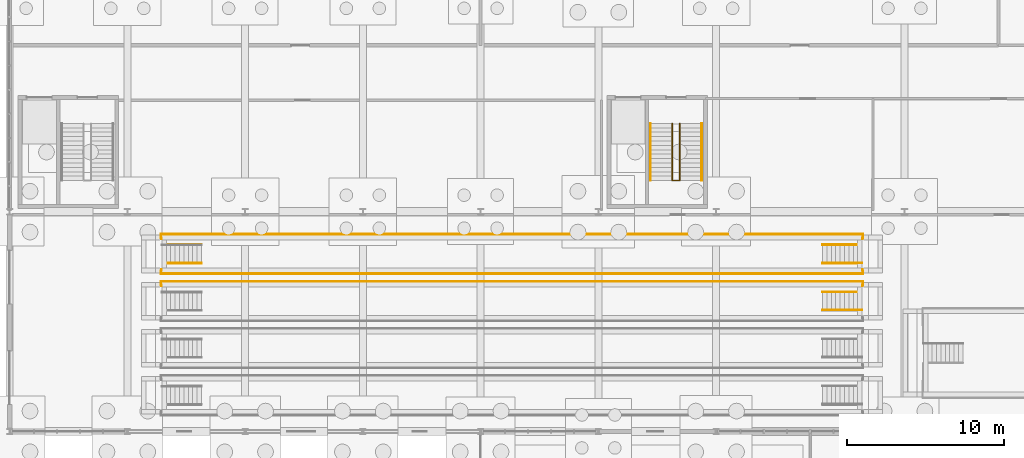
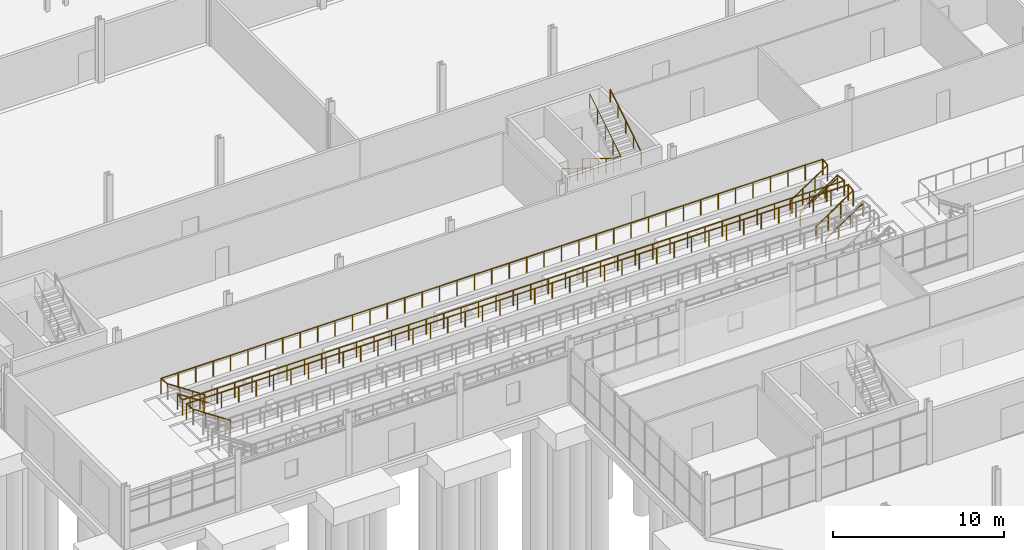
# One storey, part 133 of 136: 8 railings.
"""IFC4 building model written with IfcOpenShell, lengths in metres."""

from ifc_helpers import new_model, si_unit, direction, frame, origin, origin_2d, place, context, subcontext, project, spatial, circle, extrude, material, type_object, element, save


model = new_model("IFC4")

# Units and contexts
model_context = context("Model", 3, precision=1e-05, world=origin(), true_north=direction((0.0, 1.0)))
body_context = subcontext(model_context, "Body", "Model", "MODEL_VIEW")
ifc_project = project(units=[si_unit("LENGTHUNIT", "METRE"), si_unit("AREAUNIT", "SQUARE_METRE"), si_unit("VOLUMEUNIT", "CUBIC_METRE"), si_unit("PLANEANGLEUNIT", "RADIAN"), si_unit("MASSUNIT", "GRAM", prefix="KILO")], contexts=[model_context])

# Site, building, storey
site_placement = place(None, origin())
site = spatial("IfcSite", under=ifc_project, at=site_placement, CompositionType="ELEMENT")
building_placement = place(site_placement, origin())
building = spatial("IfcBuilding", under=site, at=building_placement, Name="Solvenia Promenade Tram Depot", CompositionType="ELEMENT")
storey_placement = place(building_placement, origin())
storey = spatial("IfcBuildingStorey", under=building, at=storey_placement, Name="L00", CompositionType="ELEMENT", Elevation=0.0)

# Railings
ifc_material_1 = material(Name="Galvanized painted sheet steel", Category="steel")
railing_type_1 = type_object("IfcRailingType", Name="Guard-Pit-1100", PredefinedType="GUARDRAIL", material=ifc_material_1)
railing_1_placement = place(storey_placement, frame((117.219970703125, 32.889892578125, -1.675048828125)))
element("IfcRailing", 1, at=railing_1_placement, inside=storey, type_object=railing_type_1, Name="Inspection Pit Bay 3 North Perimeter and Flight Safety Guard", PredefinedType="GUARDRAIL", context=body_context, shape_type="SweptSolid", body=[
    extrude(circle(Radius=0.02392578125, at=origin_2d()), frame((0.0, 0.0, 1.09619140625), z_axis=(-0.832806695154, 0.0, 0.553563915467), x_axis=(0.0, -1.0, 0.0)), (0.0, 0.0, 1.0), 3.02587890625),
    extrude(circle(Radius=0.02392578125, at=origin_2d()), frame((-2.52001953125, 0.0, 2.77099609375), z_axis=(-0.089259767428, 0.996008380446, 0.0), x_axis=(-0.996008380446, -0.089259767428, 0.0)), (0.0, 0.0, 1.0), 0.6728515625),
    extrude(circle(Radius=0.02392578125, at=origin_2d()), frame((-2.580078125, 0.670166015625, 2.77099609375), z_axis=(1.0, 0.0, 0.0), x_axis=(0.0, 1.0, 0.0)), (0.0, 0.0, 1.0), 44.72021484375),
    extrude(circle(Radius=0.02392578125, at=origin_2d()), frame((42.14013671875, 0.670166015625, 2.77099609375), z_axis=(-0.089259767428, -0.996008380446, 0.0), x_axis=(0.996008380446, -0.089259767428, 0.0)), (0.0, 0.0, 1.0), 0.6728515625),
    extrude(circle(Radius=0.02392578125, at=origin_2d()), frame((42.080078125, 0.0, 2.77099609375), z_axis=(-0.832806695154, 0.0, -0.553563915467), x_axis=(0.0, -1.0, 0.0)), (0.0, 0.0, 1.0), 3.02587890625),
    extrude(circle(Radius=0.02099609375, at=origin_2d()), origin(), (0.0, 0.0, 1.0), 1.072021484375),
    extrude(circle(Radius=0.02099609375, at=origin_2d()), frame((-0.840087890625, 0.0, 0.558349609375)), (0.0, 0.0, 1.0), 1.072021484375),
    extrude(circle(Radius=0.02099609375, at=origin_2d()), frame((-1.679931640625, 0.0, 1.11669921875)), (0.0, 0.0, 1.0), 1.072021484375),
    extrude(circle(Radius=0.02099609375, at=origin_2d()), frame((-2.52001953125, 0.0, 1.675048828125)), (0.0, 0.0, 1.0), 1.072021484375),
    extrude(circle(Radius=0.02099609375, at=origin_2d()), frame((-2.580078125, 0.670166015625, 1.675048828125)), (0.0, 0.0, 1.0), 1.072021484375),
    extrude(circle(Radius=0.02099609375, at=origin_2d()), frame((-1.4033203125, 0.670166015625, 1.675048828125)), (0.0, 0.0, 1.0), 1.072021484375),
    extrude(circle(Radius=0.02099609375, at=origin_2d()), frame((-0.226318359375, 0.670166015625, 1.675048828125)), (0.0, 0.0, 1.0), 1.072021484375),
    extrude(circle(Radius=0.02099609375, at=origin_2d()), frame((0.950439453125, 0.670166015625, 1.675048828125)), (0.0, 0.0, 1.0), 1.072021484375),
    extrude(circle(Radius=0.02099609375, at=origin_2d()), frame((2.127197265625, 0.670166015625, 1.675048828125)), (0.0, 0.0, 1.0), 1.072021484375),
    extrude(circle(Radius=0.02099609375, at=origin_2d()), frame((3.30419921875, 0.670166015625, 1.675048828125)), (0.0, 0.0, 1.0), 1.072021484375),
    extrude(circle(Radius=0.02099609375, at=origin_2d()), frame((4.48095703125, 0.670166015625, 1.675048828125)), (0.0, 0.0, 1.0), 1.072021484375),
    extrude(circle(Radius=0.02099609375, at=origin_2d()), frame((5.657958984375, 0.670166015625, 1.675048828125)), (0.0, 0.0, 1.0), 1.072021484375),
    extrude(circle(Radius=0.02099609375, at=origin_2d()), frame((6.834716796875, 0.670166015625, 1.675048828125)), (0.0, 0.0, 1.0), 1.072021484375),
    extrude(circle(Radius=0.02099609375, at=origin_2d()), frame((8.011474609375, 0.670166015625, 1.675048828125)), (0.0, 0.0, 1.0), 1.072021484375),
    extrude(circle(Radius=0.02099609375, at=origin_2d()), frame((9.1884765625, 0.670166015625, 1.675048828125)), (0.0, 0.0, 1.0), 1.072021484375),
    extrude(circle(Radius=0.02099609375, at=origin_2d()), frame((10.365234375, 0.670166015625, 1.675048828125)), (0.0, 0.0, 1.0), 1.072021484375),
    extrude(circle(Radius=0.02099609375, at=origin_2d()), frame((11.5419921875, 0.670166015625, 1.675048828125)), (0.0, 0.0, 1.0), 1.072021484375),
    extrude(circle(Radius=0.02099609375, at=origin_2d()), frame((12.718994140625, 0.670166015625, 1.675048828125)), (0.0, 0.0, 1.0), 1.072021484375),
    extrude(circle(Radius=0.02099609375, at=origin_2d()), frame((13.895751953125, 0.670166015625, 1.675048828125)), (0.0, 0.0, 1.0), 1.072021484375),
    extrude(circle(Radius=0.02099609375, at=origin_2d()), frame((15.07275390625, 0.670166015625, 1.675048828125)), (0.0, 0.0, 1.0), 1.072021484375),
    extrude(circle(Radius=0.02099609375, at=origin_2d()), frame((16.24951171875, 0.670166015625, 1.675048828125)), (0.0, 0.0, 1.0), 1.072021484375),
    extrude(circle(Radius=0.02099609375, at=origin_2d()), frame((17.42626953125, 0.670166015625, 1.675048828125)), (0.0, 0.0, 1.0), 1.072021484375),
    extrude(circle(Radius=0.02099609375, at=origin_2d()), frame((18.603271484375, 0.670166015625, 1.675048828125)), (0.0, 0.0, 1.0), 1.072021484375),
    extrude(circle(Radius=0.02099609375, at=origin_2d()), frame((19.780029296875, 0.670166015625, 1.675048828125)), (0.0, 0.0, 1.0), 1.072021484375),
    extrude(circle(Radius=0.02099609375, at=origin_2d()), frame((20.956787109375, 0.670166015625, 1.675048828125)), (0.0, 0.0, 1.0), 1.072021484375),
    extrude(circle(Radius=0.02099609375, at=origin_2d()), frame((22.1337890625, 0.670166015625, 1.675048828125)), (0.0, 0.0, 1.0), 1.072021484375),
    extrude(circle(Radius=0.02099609375, at=origin_2d()), frame((23.310546875, 0.670166015625, 1.675048828125)), (0.0, 0.0, 1.0), 1.072021484375),
    extrude(circle(Radius=0.02099609375, at=origin_2d()), frame((24.4873046875, 0.670166015625, 1.675048828125)), (0.0, 0.0, 1.0), 1.072021484375),
    extrude(circle(Radius=0.02099609375, at=origin_2d()), frame((25.664306640625, 0.670166015625, 1.675048828125)), (0.0, 0.0, 1.0), 1.072021484375),
    extrude(circle(Radius=0.02099609375, at=origin_2d()), frame((26.841064453125, 0.670166015625, 1.675048828125)), (0.0, 0.0, 1.0), 1.072021484375),
    extrude(circle(Radius=0.02099609375, at=origin_2d()), frame((28.01806640625, 0.670166015625, 1.675048828125)), (0.0, 0.0, 1.0), 1.072021484375),
    extrude(circle(Radius=0.02099609375, at=origin_2d()), frame((29.19482421875, 0.670166015625, 1.675048828125)), (0.0, 0.0, 1.0), 1.072021484375),
    extrude(circle(Radius=0.02099609375, at=origin_2d()), frame((30.37158203125, 0.670166015625, 1.675048828125)), (0.0, 0.0, 1.0), 1.072021484375),
    extrude(circle(Radius=0.02099609375, at=origin_2d()), frame((31.548583984375, 0.670166015625, 1.675048828125)), (0.0, 0.0, 1.0), 1.072021484375),
    extrude(circle(Radius=0.02099609375, at=origin_2d()), frame((32.725341796875, 0.670166015625, 1.675048828125)), (0.0, 0.0, 1.0), 1.072021484375),
    extrude(circle(Radius=0.02099609375, at=origin_2d()), frame((33.902099609375, 0.670166015625, 1.675048828125)), (0.0, 0.0, 1.0), 1.072021484375),
    extrude(circle(Radius=0.02099609375, at=origin_2d()), frame((35.0791015625, 0.670166015625, 1.675048828125)), (0.0, 0.0, 1.0), 1.072021484375),
    extrude(circle(Radius=0.02099609375, at=origin_2d()), frame((36.255859375, 0.670166015625, 1.675048828125)), (0.0, 0.0, 1.0), 1.072021484375),
    extrude(circle(Radius=0.02099609375, at=origin_2d()), frame((37.432861328125, 0.670166015625, 1.675048828125)), (0.0, 0.0, 1.0), 1.072021484375),
    extrude(circle(Radius=0.02099609375, at=origin_2d()), frame((38.609619140625, 0.670166015625, 1.675048828125)), (0.0, 0.0, 1.0), 1.072021484375),
    extrude(circle(Radius=0.02099609375, at=origin_2d()), frame((39.786376953125, 0.670166015625, 1.675048828125)), (0.0, 0.0, 1.0), 1.072021484375),
    extrude(circle(Radius=0.02099609375, at=origin_2d()), frame((40.96337890625, 0.670166015625, 1.675048828125)), (0.0, 0.0, 1.0), 1.072021484375),
    extrude(circle(Radius=0.02099609375, at=origin_2d()), frame((42.14013671875, 0.670166015625, 1.675048828125)), (0.0, 0.0, 1.0), 1.072021484375),
    extrude(circle(Radius=0.02099609375, at=origin_2d()), frame((42.080078125, 0.0, 1.675048828125)), (0.0, 0.0, 1.0), 1.072021484375),
    extrude(circle(Radius=0.02099609375, at=origin_2d()), frame((41.239990234375, 0.0, 1.11669921875)), (0.0, 0.0, 1.0), 1.072021484375),
    extrude(circle(Radius=0.02099609375, at=origin_2d()), frame((40.400146484375, 0.0, 0.558349609375)), (0.0, 0.0, 1.0), 1.072021484375),
    extrude(circle(Radius=0.02099609375, at=origin_2d()), frame((39.56005859375, 0.0, 0.0)), (0.0, 0.0, 1.0), 1.072021484375),
])
railing_2_placement = place(storey_placement, frame((117.219970703125, 34.7099609375, -1.675048828125)))
element("IfcRailing", 2, at=railing_2_placement, inside=storey, type_object=railing_type_1, Name="Inspection Pit Bay 4 South Perimeter and Flight Safety Guard", PredefinedType="GUARDRAIL", context=body_context, shape_type="SweptSolid", body=[
    extrude(circle(Radius=0.02392578125, at=origin_2d()), frame((0.0, 0.0, 1.09619140625), z_axis=(-0.832806695154, 0.0, 0.553563915467), x_axis=(0.0, -1.0, 0.0)), (0.0, 0.0, 1.0), 3.02587890625),
    extrude(circle(Radius=0.02392578125, at=origin_2d()), frame((-2.52001953125, 0.0, 2.77099609375), z_axis=(-0.089292037188, -0.996005487984, 0.0), x_axis=(0.996005487984, -0.089292037188, 0.0)), (0.0, 0.0, 1.0), 0.672607421875),
    extrude(circle(Radius=0.02392578125, at=origin_2d()), frame((-2.580078125, -0.669921875, 2.77099609375), z_axis=(1.0, 0.0, 0.0), x_axis=(0.0, 1.0, 0.0)), (0.0, 0.0, 1.0), 44.72021484375),
    extrude(circle(Radius=0.02392578125, at=origin_2d()), frame((42.14013671875, -0.669921875, 2.77099609375), z_axis=(-0.089292037188, 0.996005487984, 0.0), x_axis=(-0.996005487984, -0.089292037188, 0.0)), (0.0, 0.0, 1.0), 0.672607421875),
    extrude(circle(Radius=0.02392578125, at=origin_2d()), frame((42.080078125, 0.0, 2.77099609375), z_axis=(-0.832806695154, 0.0, -0.553563915467), x_axis=(0.0, -1.0, 0.0)), (0.0, 0.0, 1.0), 3.02587890625),
    extrude(circle(Radius=0.02099609375, at=origin_2d()), origin(), (0.0, 0.0, 1.0), 1.072021484375),
    extrude(circle(Radius=0.02099609375, at=origin_2d()), frame((-0.840087890625, 0.0, 0.558349609375)), (0.0, 0.0, 1.0), 1.072021484375),
    extrude(circle(Radius=0.02099609375, at=origin_2d()), frame((-1.679931640625, 0.0, 1.11669921875)), (0.0, 0.0, 1.0), 1.072021484375),
    extrude(circle(Radius=0.02099609375, at=origin_2d()), frame((-2.52001953125, 0.0, 1.675048828125)), (0.0, 0.0, 1.0), 1.072021484375),
    extrude(circle(Radius=0.02099609375, at=origin_2d()), frame((-2.580078125, -0.669921875, 1.675048828125)), (0.0, 0.0, 1.0), 1.072021484375),
    extrude(circle(Radius=0.02099609375, at=origin_2d()), frame((-1.4033203125, -0.669921875, 1.675048828125)), (0.0, 0.0, 1.0), 1.072021484375),
    extrude(circle(Radius=0.02099609375, at=origin_2d()), frame((-0.226318359375, -0.669921875, 1.675048828125)), (0.0, 0.0, 1.0), 1.072021484375),
    extrude(circle(Radius=0.02099609375, at=origin_2d()), frame((0.950439453125, -0.669921875, 1.675048828125)), (0.0, 0.0, 1.0), 1.072021484375),
    extrude(circle(Radius=0.02099609375, at=origin_2d()), frame((2.127197265625, -0.669921875, 1.675048828125)), (0.0, 0.0, 1.0), 1.072021484375),
    extrude(circle(Radius=0.02099609375, at=origin_2d()), frame((3.30419921875, -0.669921875, 1.675048828125)), (0.0, 0.0, 1.0), 1.072021484375),
    extrude(circle(Radius=0.02099609375, at=origin_2d()), frame((4.48095703125, -0.669921875, 1.675048828125)), (0.0, 0.0, 1.0), 1.072021484375),
    extrude(circle(Radius=0.02099609375, at=origin_2d()), frame((5.657958984375, -0.669921875, 1.675048828125)), (0.0, 0.0, 1.0), 1.072021484375),
    extrude(circle(Radius=0.02099609375, at=origin_2d()), frame((6.834716796875, -0.669921875, 1.675048828125)), (0.0, 0.0, 1.0), 1.072021484375),
    extrude(circle(Radius=0.02099609375, at=origin_2d()), frame((8.011474609375, -0.669921875, 1.675048828125)), (0.0, 0.0, 1.0), 1.072021484375),
    extrude(circle(Radius=0.02099609375, at=origin_2d()), frame((9.1884765625, -0.669921875, 1.675048828125)), (0.0, 0.0, 1.0), 1.072021484375),
    extrude(circle(Radius=0.02099609375, at=origin_2d()), frame((10.365234375, -0.669921875, 1.675048828125)), (0.0, 0.0, 1.0), 1.072021484375),
    extrude(circle(Radius=0.02099609375, at=origin_2d()), frame((11.5419921875, -0.669921875, 1.675048828125)), (0.0, 0.0, 1.0), 1.072021484375),
    extrude(circle(Radius=0.02099609375, at=origin_2d()), frame((12.718994140625, -0.669921875, 1.675048828125)), (0.0, 0.0, 1.0), 1.072021484375),
    extrude(circle(Radius=0.02099609375, at=origin_2d()), frame((13.895751953125, -0.669921875, 1.675048828125)), (0.0, 0.0, 1.0), 1.072021484375),
    extrude(circle(Radius=0.02099609375, at=origin_2d()), frame((15.07275390625, -0.669921875, 1.675048828125)), (0.0, 0.0, 1.0), 1.072021484375),
    extrude(circle(Radius=0.02099609375, at=origin_2d()), frame((16.24951171875, -0.669921875, 1.675048828125)), (0.0, 0.0, 1.0), 1.072021484375),
    extrude(circle(Radius=0.02099609375, at=origin_2d()), frame((17.42626953125, -0.669921875, 1.675048828125)), (0.0, 0.0, 1.0), 1.072021484375),
    extrude(circle(Radius=0.02099609375, at=origin_2d()), frame((18.603271484375, -0.669921875, 1.675048828125)), (0.0, 0.0, 1.0), 1.072021484375),
    extrude(circle(Radius=0.02099609375, at=origin_2d()), frame((19.780029296875, -0.669921875, 1.675048828125)), (0.0, 0.0, 1.0), 1.072021484375),
    extrude(circle(Radius=0.02099609375, at=origin_2d()), frame((20.956787109375, -0.669921875, 1.675048828125)), (0.0, 0.0, 1.0), 1.072021484375),
    extrude(circle(Radius=0.02099609375, at=origin_2d()), frame((22.1337890625, -0.669921875, 1.675048828125)), (0.0, 0.0, 1.0), 1.072021484375),
    extrude(circle(Radius=0.02099609375, at=origin_2d()), frame((23.310546875, -0.669921875, 1.675048828125)), (0.0, 0.0, 1.0), 1.072021484375),
    extrude(circle(Radius=0.02099609375, at=origin_2d()), frame((24.4873046875, -0.669921875, 1.675048828125)), (0.0, 0.0, 1.0), 1.072021484375),
    extrude(circle(Radius=0.02099609375, at=origin_2d()), frame((25.664306640625, -0.669921875, 1.675048828125)), (0.0, 0.0, 1.0), 1.072021484375),
    extrude(circle(Radius=0.02099609375, at=origin_2d()), frame((26.841064453125, -0.669921875, 1.675048828125)), (0.0, 0.0, 1.0), 1.072021484375),
    extrude(circle(Radius=0.02099609375, at=origin_2d()), frame((28.01806640625, -0.669921875, 1.675048828125)), (0.0, 0.0, 1.0), 1.072021484375),
    extrude(circle(Radius=0.02099609375, at=origin_2d()), frame((29.19482421875, -0.669921875, 1.675048828125)), (0.0, 0.0, 1.0), 1.072021484375),
    extrude(circle(Radius=0.02099609375, at=origin_2d()), frame((30.37158203125, -0.669921875, 1.675048828125)), (0.0, 0.0, 1.0), 1.072021484375),
    extrude(circle(Radius=0.02099609375, at=origin_2d()), frame((31.548583984375, -0.669921875, 1.675048828125)), (0.0, 0.0, 1.0), 1.072021484375),
    extrude(circle(Radius=0.02099609375, at=origin_2d()), frame((32.725341796875, -0.669921875, 1.675048828125)), (0.0, 0.0, 1.0), 1.072021484375),
    extrude(circle(Radius=0.02099609375, at=origin_2d()), frame((33.902099609375, -0.669921875, 1.675048828125)), (0.0, 0.0, 1.0), 1.072021484375),
    extrude(circle(Radius=0.02099609375, at=origin_2d()), frame((35.0791015625, -0.669921875, 1.675048828125)), (0.0, 0.0, 1.0), 1.072021484375),
    extrude(circle(Radius=0.02099609375, at=origin_2d()), frame((36.255859375, -0.669921875, 1.675048828125)), (0.0, 0.0, 1.0), 1.072021484375),
    extrude(circle(Radius=0.02099609375, at=origin_2d()), frame((37.432861328125, -0.669921875, 1.675048828125)), (0.0, 0.0, 1.0), 1.072021484375),
    extrude(circle(Radius=0.02099609375, at=origin_2d()), frame((38.609619140625, -0.669921875, 1.675048828125)), (0.0, 0.0, 1.0), 1.072021484375),
    extrude(circle(Radius=0.02099609375, at=origin_2d()), frame((39.786376953125, -0.669921875, 1.675048828125)), (0.0, 0.0, 1.0), 1.072021484375),
    extrude(circle(Radius=0.02099609375, at=origin_2d()), frame((40.96337890625, -0.669921875, 1.675048828125)), (0.0, 0.0, 1.0), 1.072021484375),
    extrude(circle(Radius=0.02099609375, at=origin_2d()), frame((42.14013671875, -0.669921875, 1.675048828125)), (0.0, 0.0, 1.0), 1.072021484375),
    extrude(circle(Radius=0.02099609375, at=origin_2d()), frame((42.080078125, 0.0, 1.675048828125)), (0.0, 0.0, 1.0), 1.072021484375),
    extrude(circle(Radius=0.02099609375, at=origin_2d()), frame((41.239990234375, 0.0, 1.11669921875)), (0.0, 0.0, 1.0), 1.072021484375),
    extrude(circle(Radius=0.02099609375, at=origin_2d()), frame((40.400146484375, 0.0, 0.558349609375)), (0.0, 0.0, 1.0), 1.072021484375),
    extrude(circle(Radius=0.02099609375, at=origin_2d()), frame((39.56005859375, 0.0, 0.0)), (0.0, 0.0, 1.0), 1.072021484375),
])
railing_3_placement = place(storey_placement, frame((117.219970703125, 35.889892578125, -1.675048828125)))
element("IfcRailing", 3, at=railing_3_placement, inside=storey, type_object=railing_type_1, Name="Inspection Pit Bay 4 North Perimeter and Flight Safety Guard", PredefinedType="GUARDRAIL", context=body_context, shape_type="SweptSolid", body=[
    extrude(circle(Radius=0.02392578125, at=origin_2d()), frame((0.0, 0.0, 1.09619140625), z_axis=(-0.832806695154, 0.0, 0.553563915467), x_axis=(0.0, -1.0, 0.0)), (0.0, 0.0, 1.0), 3.02587890625),
    extrude(circle(Radius=0.02392578125, at=origin_2d()), frame((-2.52001953125, 0.0, 2.77099609375), z_axis=(-0.089259767428, 0.996008380446, 0.0), x_axis=(-0.996008380446, -0.089259767428, 0.0)), (0.0, 0.0, 1.0), 0.6728515625),
    extrude(circle(Radius=0.02392578125, at=origin_2d()), frame((-2.580078125, 0.670166015625, 2.77099609375), z_axis=(1.0, 0.0, 0.0), x_axis=(0.0, 1.0, 0.0)), (0.0, 0.0, 1.0), 44.72021484375),
    extrude(circle(Radius=0.02392578125, at=origin_2d()), frame((42.14013671875, 0.670166015625, 2.77099609375), z_axis=(-0.089259767428, -0.996008380446, 0.0), x_axis=(0.996008380446, -0.089259767428, 0.0)), (0.0, 0.0, 1.0), 0.6728515625),
    extrude(circle(Radius=0.02392578125, at=origin_2d()), frame((42.080078125, 0.0, 2.77099609375), z_axis=(-0.832806695154, 0.0, -0.553563915467), x_axis=(0.0, -1.0, 0.0)), (0.0, 0.0, 1.0), 3.02587890625),
    extrude(circle(Radius=0.02099609375, at=origin_2d()), origin(), (0.0, 0.0, 1.0), 1.072021484375),
    extrude(circle(Radius=0.02099609375, at=origin_2d()), frame((-0.840087890625, 0.0, 0.558349609375)), (0.0, 0.0, 1.0), 1.072021484375),
    extrude(circle(Radius=0.02099609375, at=origin_2d()), frame((-1.679931640625, 0.0, 1.11669921875)), (0.0, 0.0, 1.0), 1.072021484375),
    extrude(circle(Radius=0.02099609375, at=origin_2d()), frame((-2.52001953125, 0.0, 1.675048828125)), (0.0, 0.0, 1.0), 1.072021484375),
    extrude(circle(Radius=0.02099609375, at=origin_2d()), frame((-2.580078125, 0.670166015625, 1.675048828125)), (0.0, 0.0, 1.0), 1.072021484375),
    extrude(circle(Radius=0.02099609375, at=origin_2d()), frame((-1.4033203125, 0.670166015625, 1.675048828125)), (0.0, 0.0, 1.0), 1.072021484375),
    extrude(circle(Radius=0.02099609375, at=origin_2d()), frame((-0.226318359375, 0.670166015625, 1.675048828125)), (0.0, 0.0, 1.0), 1.072021484375),
    extrude(circle(Radius=0.02099609375, at=origin_2d()), frame((0.950439453125, 0.670166015625, 1.675048828125)), (0.0, 0.0, 1.0), 1.072021484375),
    extrude(circle(Radius=0.02099609375, at=origin_2d()), frame((2.127197265625, 0.670166015625, 1.675048828125)), (0.0, 0.0, 1.0), 1.072021484375),
    extrude(circle(Radius=0.02099609375, at=origin_2d()), frame((3.30419921875, 0.670166015625, 1.675048828125)), (0.0, 0.0, 1.0), 1.072021484375),
    extrude(circle(Radius=0.02099609375, at=origin_2d()), frame((4.48095703125, 0.670166015625, 1.675048828125)), (0.0, 0.0, 1.0), 1.072021484375),
    extrude(circle(Radius=0.02099609375, at=origin_2d()), frame((5.657958984375, 0.670166015625, 1.675048828125)), (0.0, 0.0, 1.0), 1.072021484375),
    extrude(circle(Radius=0.02099609375, at=origin_2d()), frame((6.834716796875, 0.670166015625, 1.675048828125)), (0.0, 0.0, 1.0), 1.072021484375),
    extrude(circle(Radius=0.02099609375, at=origin_2d()), frame((8.011474609375, 0.670166015625, 1.675048828125)), (0.0, 0.0, 1.0), 1.072021484375),
    extrude(circle(Radius=0.02099609375, at=origin_2d()), frame((9.1884765625, 0.670166015625, 1.675048828125)), (0.0, 0.0, 1.0), 1.072021484375),
    extrude(circle(Radius=0.02099609375, at=origin_2d()), frame((10.365234375, 0.670166015625, 1.675048828125)), (0.0, 0.0, 1.0), 1.072021484375),
    extrude(circle(Radius=0.02099609375, at=origin_2d()), frame((11.5419921875, 0.670166015625, 1.675048828125)), (0.0, 0.0, 1.0), 1.072021484375),
    extrude(circle(Radius=0.02099609375, at=origin_2d()), frame((12.718994140625, 0.670166015625, 1.675048828125)), (0.0, 0.0, 1.0), 1.072021484375),
    extrude(circle(Radius=0.02099609375, at=origin_2d()), frame((13.895751953125, 0.670166015625, 1.675048828125)), (0.0, 0.0, 1.0), 1.072021484375),
    extrude(circle(Radius=0.02099609375, at=origin_2d()), frame((15.07275390625, 0.670166015625, 1.675048828125)), (0.0, 0.0, 1.0), 1.072021484375),
    extrude(circle(Radius=0.02099609375, at=origin_2d()), frame((16.24951171875, 0.670166015625, 1.675048828125)), (0.0, 0.0, 1.0), 1.072021484375),
    extrude(circle(Radius=0.02099609375, at=origin_2d()), frame((17.42626953125, 0.670166015625, 1.675048828125)), (0.0, 0.0, 1.0), 1.072021484375),
    extrude(circle(Radius=0.02099609375, at=origin_2d()), frame((18.603271484375, 0.670166015625, 1.675048828125)), (0.0, 0.0, 1.0), 1.072021484375),
    extrude(circle(Radius=0.02099609375, at=origin_2d()), frame((19.780029296875, 0.670166015625, 1.675048828125)), (0.0, 0.0, 1.0), 1.072021484375),
    extrude(circle(Radius=0.02099609375, at=origin_2d()), frame((20.956787109375, 0.670166015625, 1.675048828125)), (0.0, 0.0, 1.0), 1.072021484375),
    extrude(circle(Radius=0.02099609375, at=origin_2d()), frame((22.1337890625, 0.670166015625, 1.675048828125)), (0.0, 0.0, 1.0), 1.072021484375),
    extrude(circle(Radius=0.02099609375, at=origin_2d()), frame((23.310546875, 0.670166015625, 1.675048828125)), (0.0, 0.0, 1.0), 1.072021484375),
    extrude(circle(Radius=0.02099609375, at=origin_2d()), frame((24.4873046875, 0.670166015625, 1.675048828125)), (0.0, 0.0, 1.0), 1.072021484375),
    extrude(circle(Radius=0.02099609375, at=origin_2d()), frame((25.664306640625, 0.670166015625, 1.675048828125)), (0.0, 0.0, 1.0), 1.072021484375),
    extrude(circle(Radius=0.02099609375, at=origin_2d()), frame((26.841064453125, 0.670166015625, 1.675048828125)), (0.0, 0.0, 1.0), 1.072021484375),
    extrude(circle(Radius=0.02099609375, at=origin_2d()), frame((28.01806640625, 0.670166015625, 1.675048828125)), (0.0, 0.0, 1.0), 1.072021484375),
    extrude(circle(Radius=0.02099609375, at=origin_2d()), frame((29.19482421875, 0.670166015625, 1.675048828125)), (0.0, 0.0, 1.0), 1.072021484375),
    extrude(circle(Radius=0.02099609375, at=origin_2d()), frame((30.37158203125, 0.670166015625, 1.675048828125)), (0.0, 0.0, 1.0), 1.072021484375),
    extrude(circle(Radius=0.02099609375, at=origin_2d()), frame((31.548583984375, 0.670166015625, 1.675048828125)), (0.0, 0.0, 1.0), 1.072021484375),
    extrude(circle(Radius=0.02099609375, at=origin_2d()), frame((32.725341796875, 0.670166015625, 1.675048828125)), (0.0, 0.0, 1.0), 1.072021484375),
    extrude(circle(Radius=0.02099609375, at=origin_2d()), frame((33.902099609375, 0.670166015625, 1.675048828125)), (0.0, 0.0, 1.0), 1.072021484375),
    extrude(circle(Radius=0.02099609375, at=origin_2d()), frame((35.0791015625, 0.670166015625, 1.675048828125)), (0.0, 0.0, 1.0), 1.072021484375),
    extrude(circle(Radius=0.02099609375, at=origin_2d()), frame((36.255859375, 0.670166015625, 1.675048828125)), (0.0, 0.0, 1.0), 1.072021484375),
    extrude(circle(Radius=0.02099609375, at=origin_2d()), frame((37.432861328125, 0.670166015625, 1.675048828125)), (0.0, 0.0, 1.0), 1.072021484375),
    extrude(circle(Radius=0.02099609375, at=origin_2d()), frame((38.609619140625, 0.670166015625, 1.675048828125)), (0.0, 0.0, 1.0), 1.072021484375),
    extrude(circle(Radius=0.02099609375, at=origin_2d()), frame((39.786376953125, 0.670166015625, 1.675048828125)), (0.0, 0.0, 1.0), 1.072021484375),
    extrude(circle(Radius=0.02099609375, at=origin_2d()), frame((40.96337890625, 0.670166015625, 1.675048828125)), (0.0, 0.0, 1.0), 1.072021484375),
    extrude(circle(Radius=0.02099609375, at=origin_2d()), frame((42.14013671875, 0.670166015625, 1.675048828125)), (0.0, 0.0, 1.0), 1.072021484375),
    extrude(circle(Radius=0.02099609375, at=origin_2d()), frame((42.080078125, 0.0, 1.675048828125)), (0.0, 0.0, 1.0), 1.072021484375),
    extrude(circle(Radius=0.02099609375, at=origin_2d()), frame((41.239990234375, 0.0, 1.11669921875)), (0.0, 0.0, 1.0), 1.072021484375),
    extrude(circle(Radius=0.02099609375, at=origin_2d()), frame((40.400146484375, 0.0, 0.558349609375)), (0.0, 0.0, 1.0), 1.072021484375),
    extrude(circle(Radius=0.02099609375, at=origin_2d()), frame((39.56005859375, 0.0, 0.0)), (0.0, 0.0, 1.0), 1.072021484375),
])
ifc_material_2 = material(Name="Anodized aluminium AW-6063 T6", Category="aluminium")
railing_type_2 = type_object("IfcRailingType", Name="Guard-Stair-1100", PredefinedType="GUARDRAIL", material=ifc_material_2)
railing_4_placement = place(storey_placement, frame((147.2099609375, 43.6201171875, 0.0)))
element("IfcRailing", 4, at=railing_4_placement, inside=storey, type_object=railing_type_2, Name="Stair Inner Well Guard ST-06-L00", PredefinedType="GUARDRAIL", context=body_context, shape_type="SweptSolid", body=[
    extrude(circle(Radius=0.02392578125, at=origin_2d()), frame((0.0, 0.0, 1.09619140625), z_axis=(0.0, -0.850622404505, 0.525777067734), x_axis=(1.0, 0.0, 0.0)), (0.0, 0.0, 1.0), 4.279296875),
    extrude(circle(Radius=0.02392578125, at=origin_2d()), frame((0.0, -3.64013671875, 3.34619140625), z_axis=(1.0, 0.0, 0.0), x_axis=(0.0, 1.0, 0.0)), (0.0, 0.0, 1.0), 0.47998046875),
    extrude(circle(Radius=0.02392578125, at=origin_2d()), frame((0.47998046875, -3.64013671875, 3.34619140625), z_axis=(0.0, 0.850622404505, 0.525777067734), x_axis=(-1.0, 0.0, 0.0)), (0.0, 0.0, 1.0), 4.279296875),
    extrude(circle(Radius=0.02099609375, at=origin_2d()), origin(), (0.0, 0.0, 1.0), 1.072021484375),
    extrude(circle(Radius=0.02099609375, at=origin_2d()), frame((0.0, -0.91015625, 0.5625)), (0.0, 0.0, 1.0), 1.072021484375),
    extrude(circle(Radius=0.02099609375, at=origin_2d()), frame((0.0, -1.820068359375, 1.125)), (0.0, 0.0, 1.0), 1.072021484375),
    extrude(circle(Radius=0.02099609375, at=origin_2d()), frame((0.0, -2.72998046875, 1.6875)), (0.0, 0.0, 1.0), 1.072021484375),
    extrude(circle(Radius=0.02099609375, at=origin_2d()), frame((0.0, -3.64013671875, 2.25)), (0.0, 0.0, 1.0), 1.072021484375),
    extrude(circle(Radius=0.02099609375, at=origin_2d()), frame((0.47998046875, -3.64013671875, 2.25)), (0.0, 0.0, 1.0), 1.072021484375),
    extrude(circle(Radius=0.02099609375, at=origin_2d()), frame((0.47998046875, -2.72998046875, 2.8125)), (0.0, 0.0, 1.0), 1.072021484375),
    extrude(circle(Radius=0.02099609375, at=origin_2d()), frame((0.47998046875, -1.820068359375, 3.375)), (0.0, 0.0, 1.0), 1.072021484375),
    extrude(circle(Radius=0.02099609375, at=origin_2d()), frame((0.47998046875, -0.91015625, 3.9375)), (0.0, 0.0, 1.0), 1.072021484375),
    extrude(circle(Radius=0.02099609375, at=origin_2d()), frame((0.47998046875, 0.0, 4.5)), (0.0, 0.0, 1.0), 1.072021484375),
])
railing_type_3 = type_object("IfcRailingType", Name="Handrail-Stair-920", PredefinedType="HANDRAIL", material=ifc_material_2)
railing_5_placement = place(storey_placement, frame((145.820068359375, 43.6201171875, 0.0)))
element("IfcRailing", 5, at=railing_5_placement, inside=storey, type_object=railing_type_3, Name="Stair Wall Handrail ST-06-L00-F1", PredefinedType="HANDRAIL", context=body_context, shape_type="SweptSolid", body=[
    extrude(circle(Radius=0.02392578125, at=origin_2d()), frame((0.0, 0.0, 0.89599609375), z_axis=(0.0, -0.850622404505, 0.525777067734), x_axis=(1.0, 0.0, 0.0)), (0.0, 0.0, 1.0), 4.279296875),
    extrude(circle(Radius=0.02099609375, at=origin_2d()), origin(), (0.0, 0.0, 1.0), 0.871826171875),
    extrude(circle(Radius=0.02099609375, at=origin_2d()), frame((0.0, -0.91015625, 0.5625)), (0.0, 0.0, 1.0), 0.871826171875),
    extrude(circle(Radius=0.02099609375, at=origin_2d()), frame((0.0, -1.820068359375, 1.125)), (0.0, 0.0, 1.0), 0.871826171875),
    extrude(circle(Radius=0.02099609375, at=origin_2d()), frame((0.0, -2.72998046875, 1.6875)), (0.0, 0.0, 1.0), 0.871826171875),
    extrude(circle(Radius=0.02099609375, at=origin_2d()), frame((0.0, -3.64013671875, 2.25)), (0.0, 0.0, 1.0), 0.871826171875),
])
railing_6_placement = place(storey_placement, frame((149.080078125, 39.97998046875, 2.25)))
element("IfcRailing", 6, at=railing_6_placement, inside=storey, type_object=railing_type_3, Name="Stair Wall Handrail ST-06-L00-F2", PredefinedType="HANDRAIL", context=body_context, shape_type="SweptSolid", body=[
    extrude(circle(Radius=0.02392578125, at=origin_2d()), frame((0.0, 0.0, 0.89599609375), z_axis=(0.0, 0.850622404505, 0.525777067734), x_axis=(-1.0, 0.0, 0.0)), (0.0, 0.0, 1.0), 4.279296875),
    extrude(circle(Radius=0.02099609375, at=origin_2d()), origin(), (0.0, 0.0, 1.0), 0.871826171875),
    extrude(circle(Radius=0.02099609375, at=origin_2d()), frame((0.0, 0.91015625, 0.5625)), (0.0, 0.0, 1.0), 0.871826171875),
    extrude(circle(Radius=0.02099609375, at=origin_2d()), frame((0.0, 1.820068359375, 1.125)), (0.0, 0.0, 1.0), 0.871826171875),
    extrude(circle(Radius=0.02099609375, at=origin_2d()), frame((0.0, 2.72998046875, 1.6875)), (0.0, 0.0, 1.0), 0.871826171875),
    extrude(circle(Radius=0.02099609375, at=origin_2d()), frame((0.0, 3.64013671875, 2.25)), (0.0, 0.0, 1.0), 0.871826171875),
])
for number, where, name in (
    (7, (156.780029296875, 31.72998046875, -1.675048828125), "Inspection Pit Bay 3 East Stair Handrail"),
    (8, (156.780029296875, 34.72998046875, -1.675048828125), "Inspection Pit Bay 4 East Stair Handrail"),
):
    element("IfcRailing", number, at=place(storey_placement, frame(where)), inside=storey, type_object=railing_type_3, Name=name, PredefinedType="HANDRAIL", context=body_context, shape_type="SweptSolid", body=[
        extrude(circle(Radius=0.02392578125, at=origin_2d()), frame((0.0, 0.0, 0.89599609375), z_axis=(0.832806695154, 0.0, 0.553563915467), x_axis=(0.0, 1.0, 0.0)), (0.0, 0.0, 1.0), 3.02587890625),
        extrude(circle(Radius=0.02099609375, at=origin_2d()), origin(), (0.0, 0.0, 1.0), 0.871826171875),
        extrude(circle(Radius=0.02099609375, at=origin_2d()), frame((0.840087890625, 0.0, 0.558349609375)), (0.0, 0.0, 1.0), 0.871826171875),
        extrude(circle(Radius=0.02099609375, at=origin_2d()), frame((1.679931640625, 0.0, 1.11669921875)), (0.0, 0.0, 1.0), 0.871826171875),
        extrude(circle(Radius=0.02099609375, at=origin_2d()), frame((2.52001953125, 0.0, 1.675048828125)), (0.0, 0.0, 1.0), 0.871826171875),
    ])

save(model, "model.ifc")
